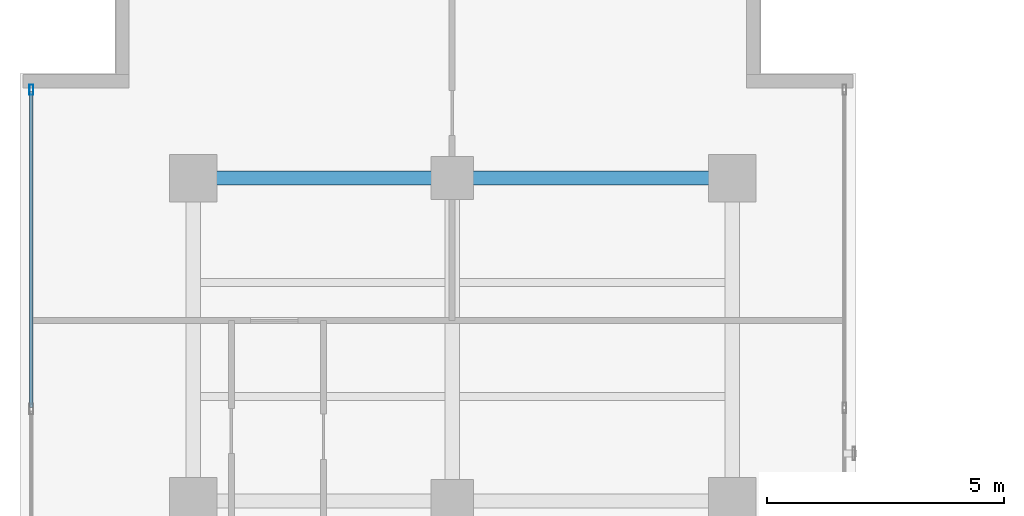
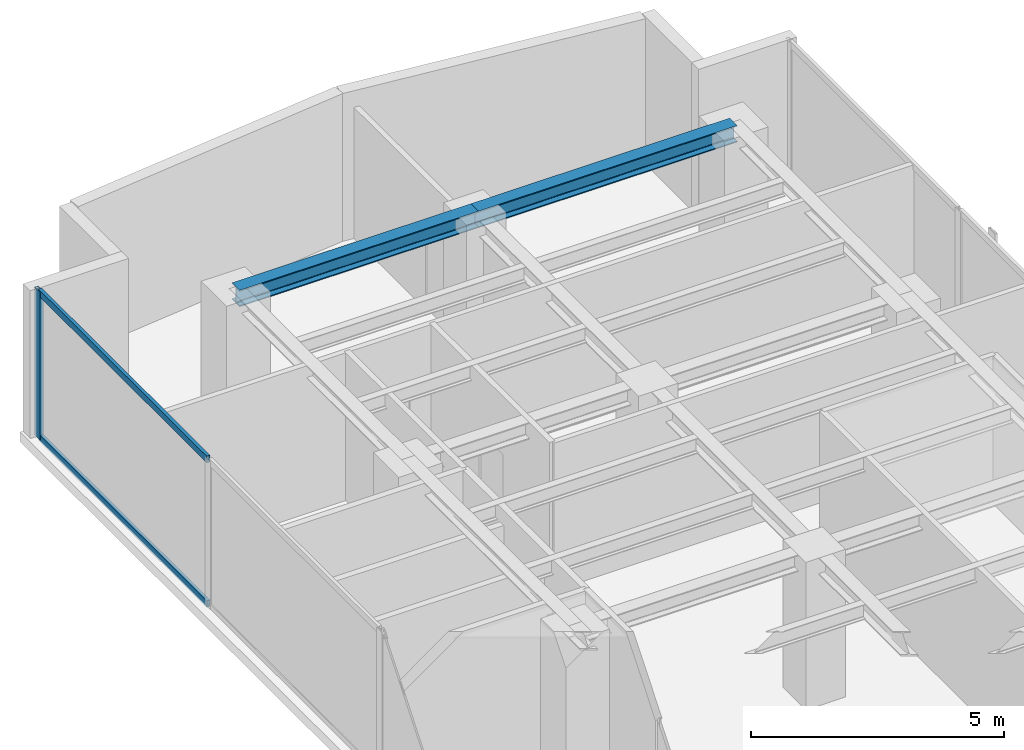
# One storey, part 14 of 23: 3 members, 2 beams, 1 element without a shape of its own.
"""IFC4 building model written with IfcOpenShell, lengths in metres."""

from ifc_helpers import new_model, si_unit, direction, frame, origin, origin_with_axes, origin_2d, place, context, subcontext, project, spatial, hollow_rectangle, i_section, extrude, source, transform, mapped, material, layer, layer_set, material_profile, profile_set, type_object, element, aggregate, save


model = new_model("IFC4")

# Units and contexts
model_context = context("Model", 3, precision=1e-05, world=origin(), true_north=direction((0.0, 1.0)))
body_context = subcontext(model_context, "Body", "Model", "MODEL_VIEW")
ifc_project = project(units=[si_unit("LENGTHUNIT", "METRE"), si_unit("AREAUNIT", "SQUARE_METRE"), si_unit("VOLUMEUNIT", "CUBIC_METRE"), si_unit("PLANEANGLEUNIT", "RADIAN"), si_unit("MASSUNIT", "GRAM", prefix="KILO")], contexts=[model_context])

# Site, building, storey
site_placement = place(None, origin())
site = spatial("IfcSite", under=ifc_project, at=site_placement, CompositionType="ELEMENT")
building_placement = place(site_placement, origin())
building = spatial("IfcBuilding", under=site, at=building_placement, Name="Kolvaren Waterfront Exchange", CompositionType="ELEMENT")
storey_placement = place(building_placement, frame((0.0, 0.0, 215.89990234375)))
storey = spatial("IfcBuildingStorey", under=building, at=storey_placement, Name="L55", CompositionType="ELEMENT", Elevation=215.89990234375)

# Beams
ifc_material_1 = material(Name="Steel S355", Category="steel")
ifc_material_profile_1 = material_profile(ifc_material_1, i_section(OverallWidth=0.300048828125, OverallDepth=0.39990234375, WebThickness=0.013427734375, FlangeThickness=0.02392578125, FilletRadius=0.027099609375, at=origin_2d()), Name="HEB400")
ifc_profile_set_1 = profile_set([ifc_material_profile_1], Name="Steel S355")
beam_type = type_object("IfcBeamType", Name="STR-BM-HEB400", PredefinedType="BEAM", material=ifc_profile_set_1)
beam_1_placement = place(storey_placement, frame((7.449951171875, 44.60009765625, 3.360107421875), z_axis=(1.0, 0.0, 0.0), x_axis=(0.0, 1.0, 0.0)))
element("IfcBeam", 1, at=beam_1_placement, inside=storey, type_object=beam_type, Name="L55 north-arm girder 4A", PredefinedType="BEAM", context=body_context, shape_type="SweptSolid", body=[
    extrude(i_section(OverallWidth=0.300048828125, OverallDepth=0.39990234375, WebThickness=0.013427734375, FlangeThickness=0.02392578125, FilletRadius=0.027099609375, at=origin_2d()), origin(), (0.0, 0.0, 1.0), 5.449951171875),
])
beam_2_placement = place(storey_placement, frame((12.89990234375, 44.60009765625, 3.360107421875), z_axis=(1.0, 0.0, 0.0), x_axis=(0.0, 1.0, 0.0)))
element("IfcBeam", 2, at=beam_2_placement, inside=storey, type_object=beam_type, Name="L55 north-arm girder 4B", PredefinedType="BEAM", context=body_context, shape_type="SweptSolid", body=[
    extrude(i_section(OverallWidth=0.300048828125, OverallDepth=0.39990234375, WebThickness=0.013427734375, FlangeThickness=0.02392578125, FilletRadius=0.027099609375, at=origin_2d()), origin(), (0.0, 0.0, 1.0), 5.900146484375),
])

# Curtain wall, members
ifc_material_2 = material(Name="Anodised aluminium 6063-T6", Category="aluminium")
ifc_layer = layer(ifc_material_2, 0.219970703125, Name="Anodised aluminium 6063-T6")
ifc_layer_set = layer_set([ifc_layer], Name="Anodised aluminium 6063-T6")
curtain_wall_type = type_object("IfcCurtainWallType", Name="ARC-CW-SYS2", PredefinedType="USERDEFINED", material=ifc_layer_set)
curtain_wall_placement = place(storey_placement, origin())
curtain_wall = element("IfcCurtainWall", 3, at=curtain_wall_placement, inside=storey, type_object=curtain_wall_type, Name="L55 stick curtain wall CW2 (CW-L55-W)", ObjectType="STICK CURTAIN WALL", PredefinedType="USERDEFINED")
ifc_material_profile_2 = material_profile(ifc_material_2, hollow_rectangle(XDim=0.080078125, YDim=0.219970703125, WallThickness=0.0048828125, at=origin_2d()), Name="ALU-MUL-220x80x5")
ifc_profile_set_2 = profile_set([ifc_material_profile_2], Name="Anodised aluminium 6063-T6")
member_type_1 = type_object("IfcMemberType", Name="ARC-CWM-220", PredefinedType="MULLION", material=ifc_profile_set_2)
shared_shape_1 = source(origin_with_axes(), body_context, "Body", "SweptSolid", [
    extrude(hollow_rectangle(XDim=0.080078125, YDim=0.219970703125, WallThickness=0.0048828125, at=origin_2d()), origin(), (0.0, 0.0, 1.0), 3.56005859375),
])
member_1_placement = place(storey_placement, frame((4.0400390625, 46.4599609375, 0.0), z_axis=(0.0, 0.0, 1.0), x_axis=(-1.0, 0.0, 0.0)))
member_1 = element("IfcMember", 4, at=member_1_placement, type_object=member_type_1, Name="CW2 mullion 7", PredefinedType="MULLION", context=body_context, shape_type="MappedRepresentation", body=[
    mapped(shared_shape_1, transform((0.0, 0.0, 0.0), x_axis=(1.0, 0.0, 0.0), y_axis=(0.0, 1.0, 0.0), z_axis=(0.0, 0.0, 1.0), scale=1.0)),
])
ifc_material_profile_3 = material_profile(ifc_material_2, hollow_rectangle(XDim=0.074951171875, YDim=0.159912109375, WallThickness=0.00439453125, at=origin_2d()), Name="ALU-TRN-160x75x4.5")
ifc_profile_set_3 = profile_set([ifc_material_profile_3], Name="Anodised aluminium 6063-T6")
member_type_2 = type_object("IfcMemberType", Name="ARC-CWT-160", PredefinedType="USERDEFINED", material=ifc_profile_set_3)
shared_shape_2 = source(origin_with_axes(), body_context, "Body", "SweptSolid", [
    extrude(hollow_rectangle(XDim=0.074951171875, YDim=0.159912109375, WallThickness=0.00439453125, at=origin_2d()), origin(), (0.0, 0.0, 1.0), 6.646484375),
])
member_2_placement = place(storey_placement, frame((4.0400390625, 39.7734375, 0.03759765625), z_axis=(0.0, 1.0, 0.0), x_axis=(-1.0, 0.0, 0.0)))
member_2 = element("IfcMember", 5, at=member_2_placement, type_object=member_type_2, Name="CW2 transom 6.1", ObjectType="TRANSOM", PredefinedType="USERDEFINED", context=body_context, shape_type="MappedRepresentation", body=[
    mapped(shared_shape_2, transform((0.0, 0.0, 0.0), x_axis=(1.0, 0.0, 0.0), y_axis=(0.0, 1.0, 0.0), z_axis=(0.0, 0.0, 1.0), scale=1.0)),
])
member_3_placement = place(storey_placement, frame((4.0400390625, 39.7734375, 3.522705078125), z_axis=(0.0, 1.0, 0.0), x_axis=(-1.0, 0.0, 0.0)))
member_3 = element("IfcMember", 6, at=member_3_placement, type_object=member_type_2, Name="CW2 transom 6.2", ObjectType="TRANSOM", PredefinedType="USERDEFINED", context=body_context, shape_type="MappedRepresentation", body=[
    mapped(shared_shape_2, transform((0.0, 0.0, 0.0), x_axis=(1.0, 0.0, 0.0), y_axis=(0.0, 1.0, 0.0), z_axis=(0.0, 0.0, 1.0), scale=1.0)),
])
aggregate(curtain_wall, [member_1, member_2, member_3])

save(model, "model.ifc")
